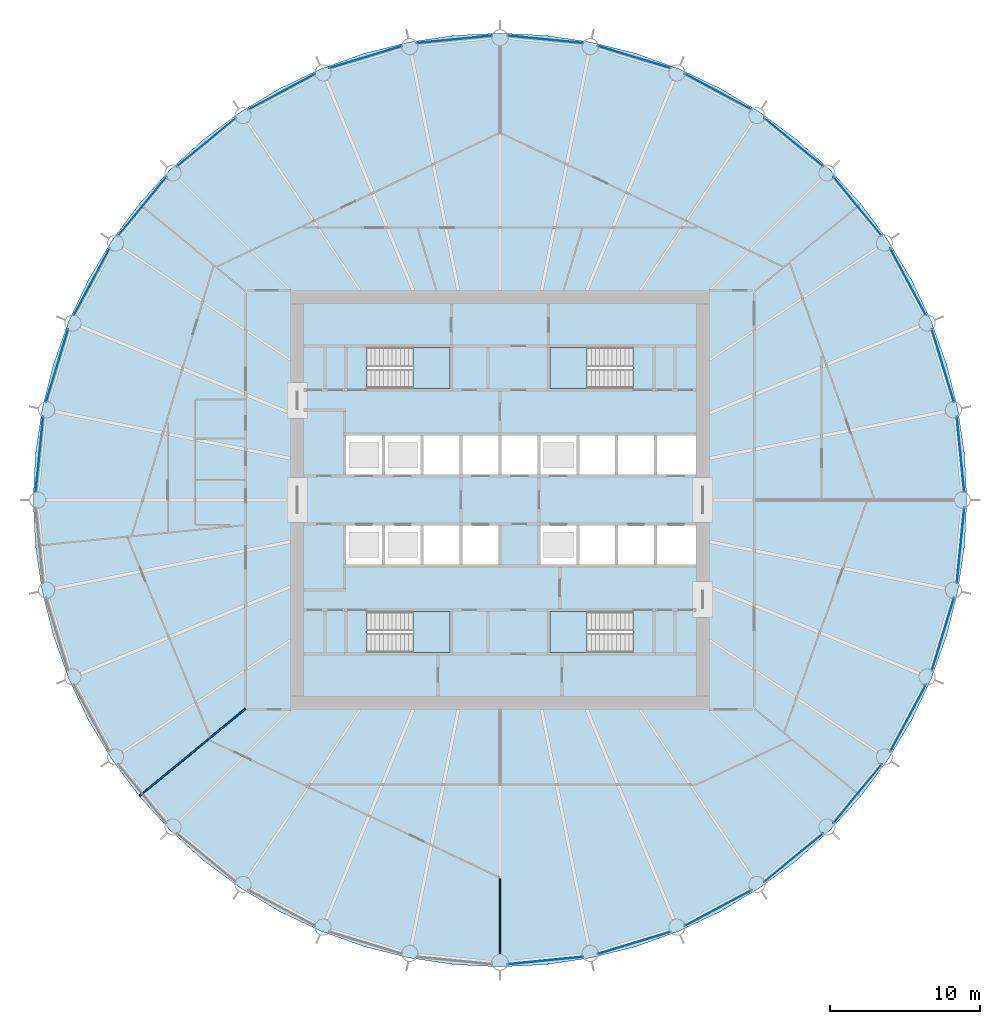
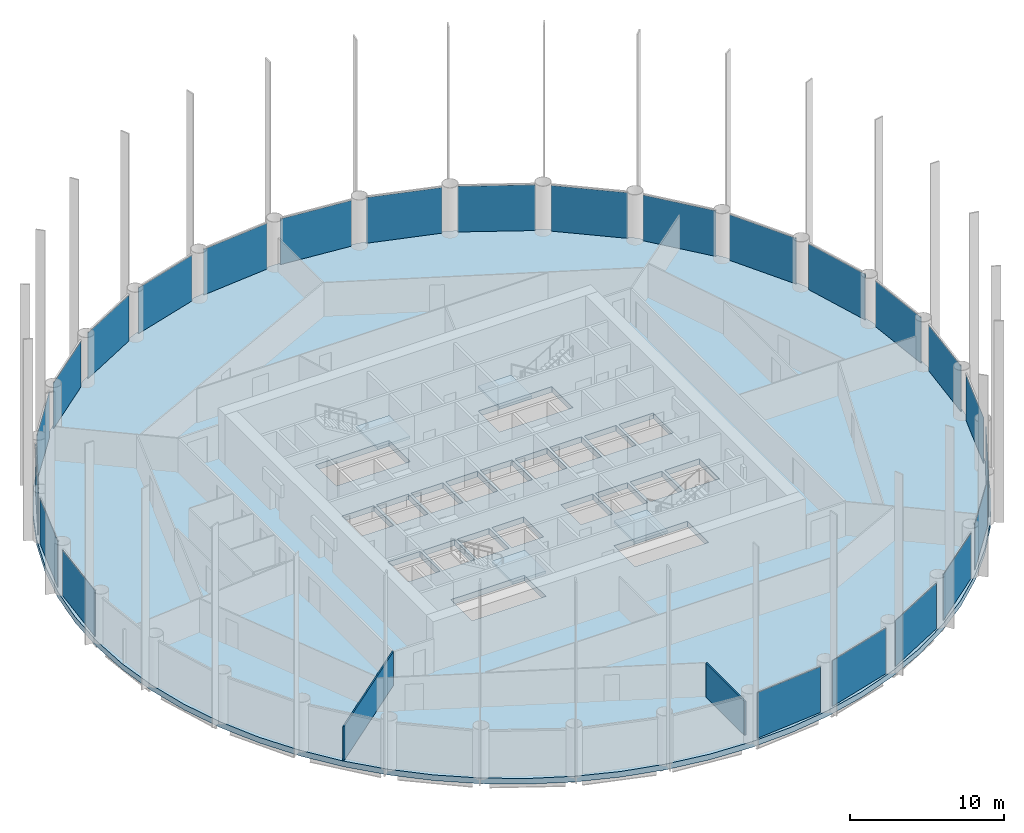
# One storey, part 3 of 10: 24 plates, 5 slabs, 2 walls, 28 elements without a shape of their own.
"""IFC4 building model written with IfcOpenShell, lengths in metres."""

from ifc_helpers import new_model, si_unit, direction, frame, frame_2d, origin, origin_2d, place, context, subcontext, project, spatial, polyline, rectangle, outline, extrude, material, layer, layer_set, type_object, element, aggregate, save


model = new_model("IFC4")

# Units and contexts
model_context = context("Model", 3, precision=1e-05, world=origin(), true_north=direction((0.0, 1.0)))
body_context = subcontext(model_context, "Body", "Model", "MODEL_VIEW")
ifc_project = project(units=[si_unit("LENGTHUNIT", "METRE"), si_unit("AREAUNIT", "SQUARE_METRE"), si_unit("VOLUMEUNIT", "CUBIC_METRE"), si_unit("PLANEANGLEUNIT", "RADIAN"), si_unit("MASSUNIT", "GRAM", prefix="KILO")], contexts=[model_context])

# Site, building, storey
site_placement = place(None, origin())
site = spatial("IfcSite", under=ifc_project, at=site_placement, CompositionType="ELEMENT")
building_placement = place(site_placement, origin())
building = spatial("IfcBuilding", under=site, at=building_placement, Name="Corvane Civic Tower", CompositionType="ELEMENT")
storey_placement = place(building_placement, frame((0.0, 0.0, 144.0)))
storey = spatial("IfcBuildingStorey", under=building, at=storey_placement, Name="L33", CompositionType="ELEMENT", Elevation=144.0)

# Stair, slab
ifc_material_1 = material(Name="Concrete C40/50", Category="concrete")
stair_type = type_object("IfcStairType", Name="ST-STAIR-HALFTURN", PredefinedType="HALF_TURN_STAIR", material=ifc_material_1)
stair_1_placement = place(storey_placement, origin())
stair_1 = element("IfcStair", 1, at=stair_1_placement, inside=storey, type_object=stair_type, Name="L33 Exit stair ST1", PredefinedType="HALF_TURN_STAIR")
ifc_material_2 = material(Name="Concrete C40/50", Category="concrete")
ifc_layer_1 = layer(ifc_material_2, 0.199951171875)
ifc_layer_set_1 = layer_set([ifc_layer_1], Name="Concrete C40/50")
slab_type_1 = type_object("IfcSlabType", Name="ST-LANDING-RC", PredefinedType="LANDING", material=ifc_layer_set_1)
slab_1_placement = place(storey_placement, frame((0.0, 0.0, 1.800048828125)))
slab_1 = element("IfcSlab", 2, at=slab_1_placement, type_object=slab_type_1, Name="ST1 landing 1", PredefinedType="LANDING", context=body_context, shape_type="SweptSolid", body=[
    extrude(outline(polyline([(5.820068359375, 10.199951171875), (3.35009765625, 10.199951171875), (3.35009765625, 7.449951171875), (5.820068359375, 7.449951171875), (5.820068359375, 10.199951171875)])), origin(), (0.0, 0.0, 1.0), 0.199951171875),
])
aggregate(stair_1, [slab_1])

stair_2_placement = place(storey_placement, origin())
stair_2 = element("IfcStair", 3, at=stair_2_placement, inside=storey, type_object=stair_type, Name="L33 Exit stair ST2", PredefinedType="HALF_TURN_STAIR")
slab_2_placement = place(storey_placement, frame((0.0, 0.0, 1.800048828125)))
slab_2 = element("IfcSlab", 4, at=slab_2_placement, type_object=slab_type_1, Name="ST2 landing 1", PredefinedType="LANDING", context=body_context, shape_type="SweptSolid", body=[
    extrude(outline(polyline([(5.820068359375, -7.449951171875), (3.35009765625, -7.449951171875), (3.35009765625, -10.199951171875), (5.820068359375, -10.199951171875), (5.820068359375, -7.449951171875)])), origin(), (0.0, 0.0, 1.0), 0.199951171875),
])
aggregate(stair_2, [slab_2])

stair_3_placement = place(storey_placement, origin())
stair_3 = element("IfcStair", 5, at=stair_3_placement, inside=storey, type_object=stair_type, Name="L33 Exit stair ST3", PredefinedType="HALF_TURN_STAIR")
slab_3_placement = place(storey_placement, frame((0.0, 0.0, 1.800048828125)))
slab_3 = element("IfcSlab", 6, at=slab_3_placement, type_object=slab_type_1, Name="ST3 landing 1", PredefinedType="LANDING", context=body_context, shape_type="SweptSolid", body=[
    extrude(outline(polyline([(-5.820068359375, -10.199951171875), (-3.35009765625, -10.199951171875), (-3.35009765625, -7.449951171875), (-5.820068359375, -7.449951171875), (-5.820068359375, -10.199951171875)])), origin(), (0.0, 0.0, 1.0), 0.199951171875),
])
aggregate(stair_3, [slab_3])

stair_4_placement = place(storey_placement, origin())
stair_4 = element("IfcStair", 7, at=stair_4_placement, inside=storey, type_object=stair_type, Name="L33 Exit stair ST4", PredefinedType="HALF_TURN_STAIR")
slab_4_placement = place(storey_placement, frame((0.0, 0.0, 1.800048828125)))
slab_4 = element("IfcSlab", 8, at=slab_4_placement, type_object=slab_type_1, Name="ST4 landing 1", PredefinedType="LANDING", context=body_context, shape_type="SweptSolid", body=[
    extrude(outline(polyline([(-5.820068359375, 7.449951171875), (-3.35009765625, 7.449951171875), (-3.35009765625, 10.199951171875), (-5.820068359375, 10.199951171875), (-5.820068359375, 7.449951171875)])), origin(), (0.0, 0.0, 1.0), 0.199951171875),
])
aggregate(stair_4, [slab_4])

# Curtain wall, plate
ifc_material_3 = material(Name="Anodised aluminium bronze", Category="aluminium")
curtain_wall_type = type_object("IfcCurtainWallType", Name="TOWER CW-T2 STICK CURTAIN WALL", PredefinedType="NOTDEFINED", material=ifc_material_3)
curtain_wall_1_placement = place(storey_placement, origin())
curtain_wall_1 = element("IfcCurtainWall", 9, at=curtain_wall_1_placement, inside=storey, type_object=curtain_wall_type, Name="Curtain wall CW-T2 L33 bay 01", PredefinedType="NOTDEFINED")
ifc_material_4 = material(Name="Tinted glass", Category="glass")
ifc_layer_2 = layer(ifc_material_4, 0.031982421875)
ifc_layer_set_2 = layer_set([ifc_layer_2], Name="Tinted glass")
plate_type = type_object("IfcPlateType", Name="TOWER CW-T2 PANEL IGU32", PredefinedType="CURTAIN_PANEL", material=ifc_layer_set_2)
plate_1_placement = place(storey_placement, frame((3.03173828125, 30.781494140625, 0.0), z_axis=(0.0, 0.0, 1.0), x_axis=(0.995185244531, -0.098011882274, 0.0)))
plate_1 = element("IfcPlate", 10, at=plate_1_placement, type_object=plate_type, Name="Glass panel CW-T2 L33 01.1", PredefinedType="CURTAIN_PANEL", context=body_context, shape_type="SweptSolid", body=[
    extrude(rectangle(XDim=5.07763671875, YDim=0.031982421875, at=origin_2d()), origin(), (0.0, 0.0, 1.0), 3.6298828125),
])
aggregate(curtain_wall_1, [plate_1])

curtain_wall_2_placement = place(storey_placement, origin())
curtain_wall_2 = element("IfcCurtainWall", 11, at=curtain_wall_2_placement, inside=storey, type_object=curtain_wall_type, Name="Curtain wall CW-T2 L33 bay 02", PredefinedType="NOTDEFINED")
plate_2_placement = place(storey_placement, frame((8.978515625, 29.5986328125, 0.0), z_axis=(0.0, 0.0, 1.0), x_axis=(0.956931677007, -0.290313219714, 0.0)))
plate_2 = element("IfcPlate", 12, at=plate_2_placement, type_object=plate_type, Name="Glass panel CW-T2 L33 02.1", PredefinedType="CURTAIN_PANEL", context=body_context, shape_type="SweptSolid", body=[
    extrude(rectangle(XDim=5.077392578125, YDim=0.031982421875, at=origin_2d()), origin(), (0.0, 0.0, 1.0), 3.6298828125),
])
aggregate(curtain_wall_2, [plate_2])

curtain_wall_3_placement = place(storey_placement, origin())
curtain_wall_3 = element("IfcCurtainWall", 13, at=curtain_wall_3_placement, inside=storey, type_object=curtain_wall_type, Name="Curtain wall CW-T2 L33 bay 03", PredefinedType="NOTDEFINED")
plate_3_placement = place(storey_placement, frame((14.58056640625, 27.278076171875, 0.0), z_axis=(0.0, 0.0, 1.0), x_axis=(0.881922190434, -0.471395004238, 0.0)))
plate_3 = element("IfcPlate", 14, at=plate_3_placement, type_object=plate_type, Name="Glass panel CW-T2 L33 03.1", PredefinedType="CURTAIN_PANEL", context=body_context, shape_type="SweptSolid", body=[
    extrude(rectangle(XDim=5.077392578125, YDim=0.031982421875, at=origin_2d()), origin(), (0.0, 0.0, 1.0), 3.6298828125),
])
aggregate(curtain_wall_3, [plate_3])

curtain_wall_4_placement = place(storey_placement, origin())
curtain_wall_4 = element("IfcCurtainWall", 15, at=curtain_wall_4_placement, inside=storey, type_object=curtain_wall_type, Name="Curtain wall CW-T2 L33 bay 04", PredefinedType="NOTDEFINED")
plate_4_placement = place(storey_placement, frame((19.6220703125, 23.909423828125, 0.0), z_axis=(0.0, 0.0, 1.0), x_axis=(0.773004844196, -0.634400118891, 0.0)))
plate_4 = element("IfcPlate", 16, at=plate_4_placement, type_object=plate_type, Name="Glass panel CW-T2 L33 04.1", PredefinedType="CURTAIN_PANEL", context=body_context, shape_type="SweptSolid", body=[
    extrude(rectangle(XDim=5.0771484375, YDim=0.031982421875, at=origin_2d()), origin(), (0.0, 0.0, 1.0), 3.6298828125),
])
aggregate(curtain_wall_4, [plate_4])

curtain_wall_5_placement = place(storey_placement, origin())
curtain_wall_5 = element("IfcCurtainWall", 17, at=curtain_wall_5_placement, inside=storey, type_object=curtain_wall_type, Name="Curtain wall CW-T2 L33 bay 05", PredefinedType="NOTDEFINED")
plate_5_placement = place(storey_placement, frame((23.909423828125, 19.6220703125, 0.0), z_axis=(0.0, 0.0, 1.0), x_axis=(0.634400118891, -0.773004844196, 0.0)))
plate_5 = element("IfcPlate", 18, at=plate_5_placement, type_object=plate_type, Name="Glass panel CW-T2 L33 05.1", PredefinedType="CURTAIN_PANEL", context=body_context, shape_type="SweptSolid", body=[
    extrude(rectangle(XDim=5.0771484375, YDim=0.031982421875, at=origin_2d()), origin(), (0.0, 0.0, 1.0), 3.6298828125),
])
aggregate(curtain_wall_5, [plate_5])

curtain_wall_6_placement = place(storey_placement, origin())
curtain_wall_6 = element("IfcCurtainWall", 19, at=curtain_wall_6_placement, inside=storey, type_object=curtain_wall_type, Name="Curtain wall CW-T2 L33 bay 06", PredefinedType="NOTDEFINED")
plate_6_placement = place(storey_placement, frame((27.278076171875, 14.58056640625, 0.0), z_axis=(0.0, 0.0, 1.0), x_axis=(0.471395004238, -0.881922190434, 0.0)))
plate_6 = element("IfcPlate", 20, at=plate_6_placement, type_object=plate_type, Name="Glass panel CW-T2 L33 06.1", PredefinedType="CURTAIN_PANEL", context=body_context, shape_type="SweptSolid", body=[
    extrude(rectangle(XDim=5.077392578125, YDim=0.031982421875, at=origin_2d()), origin(), (0.0, 0.0, 1.0), 3.6298828125),
])
aggregate(curtain_wall_6, [plate_6])

curtain_wall_7_placement = place(storey_placement, origin())
curtain_wall_7 = element("IfcCurtainWall", 21, at=curtain_wall_7_placement, inside=storey, type_object=curtain_wall_type, Name="Curtain wall CW-T2 L33 bay 07", PredefinedType="NOTDEFINED")
plate_7_placement = place(storey_placement, frame((29.5986328125, 8.978515625, 0.0), z_axis=(0.0, 0.0, 1.0), x_axis=(0.290313219714, -0.956931677007, 0.0)))
plate_7 = element("IfcPlate", 22, at=plate_7_placement, type_object=plate_type, Name="Glass panel CW-T2 L33 07.1", PredefinedType="CURTAIN_PANEL", context=body_context, shape_type="SweptSolid", body=[
    extrude(rectangle(XDim=5.077392578125, YDim=0.031982421875, at=origin_2d()), origin(), (0.0, 0.0, 1.0), 3.6298828125),
])
aggregate(curtain_wall_7, [plate_7])

curtain_wall_8_placement = place(storey_placement, origin())
curtain_wall_8 = element("IfcCurtainWall", 23, at=curtain_wall_8_placement, inside=storey, type_object=curtain_wall_type, Name="Curtain wall CW-T2 L33 bay 08", PredefinedType="NOTDEFINED")
plate_8_placement = place(storey_placement, frame((30.781494140625, 3.03173828125, 0.0), z_axis=(0.0, 0.0, 1.0), x_axis=(0.098011882274, -0.995185244531, 0.0)))
plate_8 = element("IfcPlate", 24, at=plate_8_placement, type_object=plate_type, Name="Glass panel CW-T2 L33 08.1", PredefinedType="CURTAIN_PANEL", context=body_context, shape_type="SweptSolid", body=[
    extrude(rectangle(XDim=5.07763671875, YDim=0.031982421875, at=origin_2d()), origin(), (0.0, 0.0, 1.0), 3.6298828125),
])
aggregate(curtain_wall_8, [plate_8])

curtain_wall_9_placement = place(storey_placement, origin())
curtain_wall_9 = element("IfcCurtainWall", 25, at=curtain_wall_9_placement, inside=storey, type_object=curtain_wall_type, Name="Curtain wall CW-T2 L33 bay 09", PredefinedType="NOTDEFINED")
plate_9_placement = place(storey_placement, frame((30.781494140625, -3.03173828125, 0.0), z_axis=(0.0, 0.0, 1.0), x_axis=(-0.098011882274, -0.995185244531, 0.0)))
plate_9 = element("IfcPlate", 26, at=plate_9_placement, type_object=plate_type, Name="Glass panel CW-T2 L33 09.1", PredefinedType="CURTAIN_PANEL", context=body_context, shape_type="SweptSolid", body=[
    extrude(rectangle(XDim=5.07763671875, YDim=0.031982421875, at=origin_2d()), origin(), (0.0, 0.0, 1.0), 3.6298828125),
])
aggregate(curtain_wall_9, [plate_9])

curtain_wall_10_placement = place(storey_placement, origin())
curtain_wall_10 = element("IfcCurtainWall", 27, at=curtain_wall_10_placement, inside=storey, type_object=curtain_wall_type, Name="Curtain wall CW-T2 L33 bay 10", PredefinedType="NOTDEFINED")
plate_10_placement = place(storey_placement, frame((29.5986328125, -8.978515625, 0.0), z_axis=(0.0, 0.0, 1.0), x_axis=(-0.290313219714, -0.956931677007, 0.0)))
plate_10 = element("IfcPlate", 28, at=plate_10_placement, type_object=plate_type, Name="Glass panel CW-T2 L33 10.1", PredefinedType="CURTAIN_PANEL", context=body_context, shape_type="SweptSolid", body=[
    extrude(rectangle(XDim=5.077392578125, YDim=0.031982421875, at=origin_2d()), origin(), (0.0, 0.0, 1.0), 3.6298828125),
])
aggregate(curtain_wall_10, [plate_10])

curtain_wall_11_placement = place(storey_placement, origin())
curtain_wall_11 = element("IfcCurtainWall", 29, at=curtain_wall_11_placement, inside=storey, type_object=curtain_wall_type, Name="Curtain wall CW-T2 L33 bay 11", PredefinedType="NOTDEFINED")
plate_11_placement = place(storey_placement, frame((27.278076171875, -14.58056640625, 0.0), z_axis=(0.0, 0.0, 1.0), x_axis=(-0.471395004238, -0.881922190434, 0.0)))
plate_11 = element("IfcPlate", 30, at=plate_11_placement, type_object=plate_type, Name="Glass panel CW-T2 L33 11.1", PredefinedType="CURTAIN_PANEL", context=body_context, shape_type="SweptSolid", body=[
    extrude(rectangle(XDim=5.077392578125, YDim=0.031982421875, at=origin_2d()), origin(), (0.0, 0.0, 1.0), 3.6298828125),
])
aggregate(curtain_wall_11, [plate_11])

curtain_wall_12_placement = place(storey_placement, origin())
curtain_wall_12 = element("IfcCurtainWall", 31, at=curtain_wall_12_placement, inside=storey, type_object=curtain_wall_type, Name="Curtain wall CW-T2 L33 bay 12", PredefinedType="NOTDEFINED")
plate_12_placement = place(storey_placement, frame((23.909423828125, -19.6220703125, 0.0), z_axis=(0.0, 0.0, 1.0), x_axis=(-0.634400118891, -0.773004844196, 0.0)))
plate_12 = element("IfcPlate", 32, at=plate_12_placement, type_object=plate_type, Name="Glass panel CW-T2 L33 12.1", PredefinedType="CURTAIN_PANEL", context=body_context, shape_type="SweptSolid", body=[
    extrude(rectangle(XDim=5.0771484375, YDim=0.031982421875, at=origin_2d()), origin(), (0.0, 0.0, 1.0), 3.6298828125),
])
aggregate(curtain_wall_12, [plate_12])

curtain_wall_13_placement = place(storey_placement, origin())
curtain_wall_13 = element("IfcCurtainWall", 33, at=curtain_wall_13_placement, inside=storey, type_object=curtain_wall_type, Name="Curtain wall CW-T2 L33 bay 13", PredefinedType="NOTDEFINED")
plate_13_placement = place(storey_placement, frame((19.6220703125, -23.909423828125, 0.0), z_axis=(0.0, 0.0, 1.0), x_axis=(-0.773004844196, -0.634400118891, 0.0)))
plate_13 = element("IfcPlate", 34, at=plate_13_placement, type_object=plate_type, Name="Glass panel CW-T2 L33 13.1", PredefinedType="CURTAIN_PANEL", context=body_context, shape_type="SweptSolid", body=[
    extrude(rectangle(XDim=5.0771484375, YDim=0.031982421875, at=origin_2d()), origin(), (0.0, 0.0, 1.0), 3.6298828125),
])
aggregate(curtain_wall_13, [plate_13])

curtain_wall_14_placement = place(storey_placement, origin())
curtain_wall_14 = element("IfcCurtainWall", 35, at=curtain_wall_14_placement, inside=storey, type_object=curtain_wall_type, Name="Curtain wall CW-T2 L33 bay 14", PredefinedType="NOTDEFINED")
plate_14_placement = place(storey_placement, frame((14.58056640625, -27.278076171875, 0.0), z_axis=(0.0, 0.0, 1.0), x_axis=(-0.881922190434, -0.471395004238, 0.0)))
plate_14 = element("IfcPlate", 36, at=plate_14_placement, type_object=plate_type, Name="Glass panel CW-T2 L33 14.1", PredefinedType="CURTAIN_PANEL", context=body_context, shape_type="SweptSolid", body=[
    extrude(rectangle(XDim=5.077392578125, YDim=0.031982421875, at=origin_2d()), origin(), (0.0, 0.0, 1.0), 3.6298828125),
])
aggregate(curtain_wall_14, [plate_14])

curtain_wall_15_placement = place(storey_placement, origin())
curtain_wall_15 = element("IfcCurtainWall", 37, at=curtain_wall_15_placement, inside=storey, type_object=curtain_wall_type, Name="Curtain wall CW-T2 L33 bay 15", PredefinedType="NOTDEFINED")
plate_15_placement = place(storey_placement, frame((8.978515625, -29.5986328125, 0.0), z_axis=(0.0, 0.0, 1.0), x_axis=(-0.956931677007, -0.290313219714, 0.0)))
plate_15 = element("IfcPlate", 38, at=plate_15_placement, type_object=plate_type, Name="Glass panel CW-T2 L33 15.1", PredefinedType="CURTAIN_PANEL", context=body_context, shape_type="SweptSolid", body=[
    extrude(rectangle(XDim=5.077392578125, YDim=0.031982421875, at=origin_2d()), origin(), (0.0, 0.0, 1.0), 3.6298828125),
])
aggregate(curtain_wall_15, [plate_15])

curtain_wall_16_placement = place(storey_placement, origin())
curtain_wall_16 = element("IfcCurtainWall", 39, at=curtain_wall_16_placement, inside=storey, type_object=curtain_wall_type, Name="Curtain wall CW-T2 L33 bay 16", PredefinedType="NOTDEFINED")
plate_16_placement = place(storey_placement, frame((3.03173828125, -30.781494140625, 0.0), z_axis=(0.0, 0.0, 1.0), x_axis=(-0.995185244531, -0.098011882274, 0.0)))
plate_16 = element("IfcPlate", 40, at=plate_16_placement, type_object=plate_type, Name="Glass panel CW-T2 L33 16.1", PredefinedType="CURTAIN_PANEL", context=body_context, shape_type="SweptSolid", body=[
    extrude(rectangle(XDim=5.07763671875, YDim=0.031982421875, at=origin_2d()), origin(), (0.0, 0.0, 1.0), 3.6298828125),
])
aggregate(curtain_wall_16, [plate_16])

curtain_wall_17_placement = place(storey_placement, origin())
curtain_wall_17 = element("IfcCurtainWall", 41, at=curtain_wall_17_placement, inside=storey, type_object=curtain_wall_type, Name="Curtain wall CW-T2 L33 bay 25", PredefinedType="NOTDEFINED")
plate_17_placement = place(storey_placement, frame((-30.781494140625, 3.03173828125, 0.0), z_axis=(0.0, 0.0, 1.0), x_axis=(0.098011882274, 0.995185244531, 0.0)))
plate_17 = element("IfcPlate", 42, at=plate_17_placement, type_object=plate_type, Name="Glass panel CW-T2 L33 25.1", PredefinedType="CURTAIN_PANEL", context=body_context, shape_type="SweptSolid", body=[
    extrude(rectangle(XDim=5.07763671875, YDim=0.031982421875, at=origin_2d()), origin(), (0.0, 0.0, 1.0), 3.6298828125),
])
aggregate(curtain_wall_17, [plate_17])

curtain_wall_18_placement = place(storey_placement, origin())
curtain_wall_18 = element("IfcCurtainWall", 43, at=curtain_wall_18_placement, inside=storey, type_object=curtain_wall_type, Name="Curtain wall CW-T2 L33 bay 26", PredefinedType="NOTDEFINED")
plate_18_placement = place(storey_placement, frame((-29.5986328125, 8.978515625, 0.0), z_axis=(0.0, 0.0, 1.0), x_axis=(0.290313219714, 0.956931677007, 0.0)))
plate_18 = element("IfcPlate", 44, at=plate_18_placement, type_object=plate_type, Name="Glass panel CW-T2 L33 26.1", PredefinedType="CURTAIN_PANEL", context=body_context, shape_type="SweptSolid", body=[
    extrude(rectangle(XDim=5.077392578125, YDim=0.031982421875, at=origin_2d()), origin(), (0.0, 0.0, 1.0), 3.6298828125),
])
aggregate(curtain_wall_18, [plate_18])

curtain_wall_19_placement = place(storey_placement, origin())
curtain_wall_19 = element("IfcCurtainWall", 45, at=curtain_wall_19_placement, inside=storey, type_object=curtain_wall_type, Name="Curtain wall CW-T2 L33 bay 27", PredefinedType="NOTDEFINED")
plate_19_placement = place(storey_placement, frame((-27.278076171875, 14.58056640625, 0.0), z_axis=(0.0, 0.0, 1.0), x_axis=(0.471395004238, 0.881922190434, 0.0)))
plate_19 = element("IfcPlate", 46, at=plate_19_placement, type_object=plate_type, Name="Glass panel CW-T2 L33 27.1", PredefinedType="CURTAIN_PANEL", context=body_context, shape_type="SweptSolid", body=[
    extrude(rectangle(XDim=5.077392578125, YDim=0.031982421875, at=origin_2d()), origin(), (0.0, 0.0, 1.0), 3.6298828125),
])
aggregate(curtain_wall_19, [plate_19])

curtain_wall_20_placement = place(storey_placement, origin())
curtain_wall_20 = element("IfcCurtainWall", 47, at=curtain_wall_20_placement, inside=storey, type_object=curtain_wall_type, Name="Curtain wall CW-T2 L33 bay 28", PredefinedType="NOTDEFINED")
plate_20_placement = place(storey_placement, frame((-23.909423828125, 19.6220703125, 0.0), z_axis=(0.0, 0.0, 1.0), x_axis=(0.634400118891, 0.773004844196, 0.0)))
plate_20 = element("IfcPlate", 48, at=plate_20_placement, type_object=plate_type, Name="Glass panel CW-T2 L33 28.1", PredefinedType="CURTAIN_PANEL", context=body_context, shape_type="SweptSolid", body=[
    extrude(rectangle(XDim=5.0771484375, YDim=0.031982421875, at=origin_2d()), origin(), (0.0, 0.0, 1.0), 3.6298828125),
])
aggregate(curtain_wall_20, [plate_20])

curtain_wall_21_placement = place(storey_placement, origin())
curtain_wall_21 = element("IfcCurtainWall", 49, at=curtain_wall_21_placement, inside=storey, type_object=curtain_wall_type, Name="Curtain wall CW-T2 L33 bay 29", PredefinedType="NOTDEFINED")
plate_21_placement = place(storey_placement, frame((-19.6220703125, 23.909423828125, 0.0), z_axis=(0.0, 0.0, 1.0), x_axis=(0.773004844196, 0.634400118891, 0.0)))
plate_21 = element("IfcPlate", 50, at=plate_21_placement, type_object=plate_type, Name="Glass panel CW-T2 L33 29.1", PredefinedType="CURTAIN_PANEL", context=body_context, shape_type="SweptSolid", body=[
    extrude(rectangle(XDim=5.0771484375, YDim=0.031982421875, at=origin_2d()), origin(), (0.0, 0.0, 1.0), 3.6298828125),
])
aggregate(curtain_wall_21, [plate_21])

curtain_wall_22_placement = place(storey_placement, origin())
curtain_wall_22 = element("IfcCurtainWall", 51, at=curtain_wall_22_placement, inside=storey, type_object=curtain_wall_type, Name="Curtain wall CW-T2 L33 bay 30", PredefinedType="NOTDEFINED")
plate_22_placement = place(storey_placement, frame((-14.58056640625, 27.278076171875, 0.0), z_axis=(0.0, 0.0, 1.0), x_axis=(0.881922190434, 0.471395004238, 0.0)))
plate_22 = element("IfcPlate", 52, at=plate_22_placement, type_object=plate_type, Name="Glass panel CW-T2 L33 30.1", PredefinedType="CURTAIN_PANEL", context=body_context, shape_type="SweptSolid", body=[
    extrude(rectangle(XDim=5.077392578125, YDim=0.031982421875, at=origin_2d()), origin(), (0.0, 0.0, 1.0), 3.6298828125),
])
aggregate(curtain_wall_22, [plate_22])

curtain_wall_23_placement = place(storey_placement, origin())
curtain_wall_23 = element("IfcCurtainWall", 53, at=curtain_wall_23_placement, inside=storey, type_object=curtain_wall_type, Name="Curtain wall CW-T2 L33 bay 31", PredefinedType="NOTDEFINED")
plate_23_placement = place(storey_placement, frame((-8.978515625, 29.5986328125, 0.0), z_axis=(0.0, 0.0, 1.0), x_axis=(0.956931677007, 0.290313219714, 0.0)))
plate_23 = element("IfcPlate", 54, at=plate_23_placement, type_object=plate_type, Name="Glass panel CW-T2 L33 31.1", PredefinedType="CURTAIN_PANEL", context=body_context, shape_type="SweptSolid", body=[
    extrude(rectangle(XDim=5.077392578125, YDim=0.031982421875, at=origin_2d()), origin(), (0.0, 0.0, 1.0), 3.6298828125),
])
aggregate(curtain_wall_23, [plate_23])

curtain_wall_24_placement = place(storey_placement, origin())
curtain_wall_24 = element("IfcCurtainWall", 55, at=curtain_wall_24_placement, inside=storey, type_object=curtain_wall_type, Name="Curtain wall CW-T2 L33 bay 32", PredefinedType="NOTDEFINED")
plate_24_placement = place(storey_placement, frame((-3.03173828125, 30.781494140625, 0.0), z_axis=(0.0, 0.0, 1.0), x_axis=(0.995185244531, 0.098011882274, 0.0)))
plate_24 = element("IfcPlate", 56, at=plate_24_placement, type_object=plate_type, Name="Glass panel CW-T2 L33 32.1", PredefinedType="CURTAIN_PANEL", context=body_context, shape_type="SweptSolid", body=[
    extrude(rectangle(XDim=5.07763671875, YDim=0.031982421875, at=origin_2d()), origin(), (0.0, 0.0, 1.0), 3.6298828125),
])
aggregate(curtain_wall_24, [plate_24])

# Slab
ifc_material_5 = material(Name="Concrete C50/60", Category="concrete")
ifc_layer_3 = layer(ifc_material_5, 0.449951171875)
ifc_layer_set_3 = layer_set([ifc_layer_3], Name="Concrete C50/60")
slab_type_2 = type_object("IfcSlabType", Name="TRANSFER FLOOR SLAB 450", PredefinedType="FLOOR", material=ifc_layer_set_3)
slab_5_placement = place(storey_placement, frame((0.0, 0.0, -0.449951171875)))
element("IfcSlab", 57, at=slab_5_placement, inside=storey, type_object=slab_type_2, Name="SLB-L33", PredefinedType="FLOOR", context=body_context, shape_type="SweptSolid", body=[
    extrude(outline(polyline([(0.0, 31.199951171875), (-3.05810546875, 31.0498046875), (-6.0869140625, 30.6005859375), (-9.056884765625, 29.8564453125), (-11.939697265625, 28.824951171875), (-14.70751953125, 27.515869140625), (-17.333740234375, 25.94189453125), (-19.79296875, 24.117919921875), (-22.061767578125, 22.061767578125), (-24.117919921875, 19.79296875), (-25.94189453125, 17.333740234375), (-27.515869140625, 14.70751953125), (-28.824951171875, 11.939697265625), (-29.8564453125, 9.056884765625), (-30.6005859375, 6.0869140625), (-31.0498046875, 3.05810546875), (-31.199951171875, 0.0), (-31.0498046875, -3.05810546875), (-30.6005859375, -6.0869140625), (-29.8564453125, -9.056884765625), (-28.824951171875, -11.939697265625), (-27.515869140625, -14.70751953125), (-25.94189453125, -17.333740234375), (-24.117919921875, -19.79296875), (-22.061767578125, -22.061767578125), (-19.79296875, -24.117919921875), (-17.333740234375, -25.94189453125), (-14.70751953125, -27.515869140625), (-11.939697265625, -28.824951171875), (-9.056884765625, -29.8564453125), (-6.0869140625, -30.6005859375), (-3.05810546875, -31.0498046875), (0.0, -31.199951171875), (3.05810546875, -31.0498046875), (6.0869140625, -30.6005859375), (9.056884765625, -29.8564453125), (11.939697265625, -28.824951171875), (14.70751953125, -27.515869140625), (17.333740234375, -25.94189453125), (19.79296875, -24.117919921875), (22.061767578125, -22.061767578125), (24.117919921875, -19.79296875), (25.94189453125, -17.333740234375), (27.515869140625, -14.70751953125), (28.824951171875, -11.939697265625), (29.8564453125, -9.056884765625), (30.6005859375, -6.0869140625), (31.0498046875, -3.05810546875), (31.199951171875, 0.0), (31.0498046875, 3.05810546875), (30.6005859375, 6.0869140625), (29.8564453125, 9.056884765625), (28.824951171875, 11.939697265625), (27.515869140625, 14.70751953125), (25.94189453125, 17.333740234375), (24.117919921875, 19.79296875), (22.061767578125, 22.061767578125), (19.79296875, 24.117919921875), (17.333740234375, 25.94189453125), (14.70751953125, 27.515869140625), (11.939697265625, 28.824951171875), (9.056884765625, 29.8564453125), (6.0869140625, 30.6005859375), (3.05810546875, 31.0498046875), (0.0, 31.199951171875)]), holes=[polyline([(-7.89990234375, 1.699951171875), (-10.300048828125, 1.699951171875), (-10.300048828125, 4.300048828125), (-7.89990234375, 4.300048828125), (-7.89990234375, 1.699951171875)]), polyline([(-7.699951171875, 4.300048828125), (-5.300048828125, 4.300048828125), (-5.300048828125, 1.699951171875), (-7.699951171875, 1.699951171875), (-7.699951171875, 4.300048828125)]), polyline([(-5.10009765625, 4.300048828125), (-2.699951171875, 4.300048828125), (-2.699951171875, 1.699951171875), (-5.10009765625, 1.699951171875), (-5.10009765625, 4.300048828125)]), polyline([(-0.10009765625, 4.300048828125), (-0.10009765625, 1.699951171875), (-2.5, 1.699951171875), (-2.5, 4.300048828125), (-0.10009765625, 4.300048828125)]), polyline([(0.10009765625, 4.300048828125), (2.5, 4.300048828125), (2.5, 1.699951171875), (0.10009765625, 1.699951171875), (0.10009765625, 4.300048828125)]), polyline([(2.699951171875, 4.300048828125), (5.10009765625, 4.300048828125), (5.10009765625, 1.699951171875), (2.699951171875, 1.699951171875), (2.699951171875, 4.300048828125)]), polyline([(5.300048828125, 4.300048828125), (7.699951171875, 4.300048828125), (7.699951171875, 1.699951171875), (5.300048828125, 1.699951171875), (5.300048828125, 4.300048828125)]), polyline([(7.89990234375, 4.300048828125), (10.300048828125, 4.300048828125), (10.300048828125, 1.699951171875), (7.89990234375, 1.699951171875), (7.89990234375, 4.300048828125)]), polyline([(13.10009765625, 1.699951171875), (10.5, 1.699951171875), (10.5, 4.300048828125), (13.10009765625, 4.300048828125), (13.10009765625, 1.699951171875)]), polyline([(-7.89990234375, -1.699951171875), (-7.89990234375, -4.300048828125), (-10.300048828125, -4.300048828125), (-10.300048828125, -1.699951171875), (-7.89990234375, -1.699951171875)]), polyline([(-7.699951171875, -4.300048828125), (-7.699951171875, -1.699951171875), (-5.300048828125, -1.699951171875), (-5.300048828125, -4.300048828125), (-7.699951171875, -4.300048828125)]), polyline([(-5.10009765625, -4.300048828125), (-5.10009765625, -1.699951171875), (-2.699951171875, -1.699951171875), (-2.699951171875, -4.300048828125), (-5.10009765625, -4.300048828125)]), polyline([(-0.10009765625, -1.699951171875), (-0.10009765625, -4.300048828125), (-2.5, -4.300048828125), (-2.5, -1.699951171875), (-0.10009765625, -1.699951171875)]), polyline([(5.10009765625, -1.699951171875), (5.10009765625, -4.300048828125), (2.699951171875, -4.300048828125), (2.699951171875, -1.699951171875), (5.10009765625, -1.699951171875)]), polyline([(7.699951171875, -1.699951171875), (7.699951171875, -4.300048828125), (5.300048828125, -4.300048828125), (5.300048828125, -1.699951171875), (7.699951171875, -1.699951171875)]), polyline([(10.300048828125, -1.699951171875), (10.300048828125, -4.300048828125), (7.89990234375, -4.300048828125), (7.89990234375, -1.699951171875), (10.300048828125, -1.699951171875)]), polyline([(13.10009765625, -4.300048828125), (10.5, -4.300048828125), (10.5, -1.699951171875), (13.10009765625, -1.699951171875), (13.10009765625, -4.300048828125)]), polyline([(8.889892578125, 10.199951171875), (8.889892578125, 7.449951171875), (3.35009765625, 7.449951171875), (3.35009765625, 10.199951171875), (8.889892578125, 10.199951171875)]), polyline([(-8.889892578125, 7.449951171875), (-8.889892578125, 10.199951171875), (-3.35009765625, 10.199951171875), (-3.35009765625, 7.449951171875), (-8.889892578125, 7.449951171875)]), polyline([(8.889892578125, -7.449951171875), (8.889892578125, -10.199951171875), (3.35009765625, -10.199951171875), (3.35009765625, -7.449951171875), (8.889892578125, -7.449951171875)]), polyline([(-8.889892578125, -10.199951171875), (-8.889892578125, -7.449951171875), (-3.35009765625, -7.449951171875), (-3.35009765625, -10.199951171875), (-8.889892578125, -10.199951171875)])]), origin(), (0.0, 0.0, 1.0), 0.449951171875),
])

# Walls
ifc_material_6 = material(Name="Plasterboard")
ifc_layer_4 = layer(ifc_material_6, 0.10009765625)
ifc_layer_set_4 = layer_set([ifc_layer_4], Name="Plasterboard")
wall_type = type_object("IfcWallType", Name="Partition 100 plasterboard on studs", PredefinedType="PARTITIONING", material=ifc_layer_set_4)
wall_1_placement = place(storey_placement, frame((0.0, -30.33984375, 0.0), z_axis=(0.0, 0.0, 1.0), x_axis=(0.0, 1.0, 0.0)))
element("IfcWall", 58, at=wall_1_placement, inside=storey, type_object=wall_type, Name="Partition L33.001", PredefinedType="PARTITIONING", context=body_context, shape_type="SweptSolid", body=[
    extrude(rectangle(XDim=5.037353515625, YDim=0.10009765625, at=frame_2d((2.5185546875, 0.0))), origin(), (0.0, 0.0, 1.0), 2.699951171875),
])
wall_2_placement = place(storey_placement, frame((-24.079345703125, -19.761474609375, 0.0), z_axis=(0.0, 0.0, 1.0), x_axis=(0.773006154143, 0.634398522742, 0.0)))
element("IfcWall", 59, at=wall_2_placement, inside=storey, type_object=wall_type, Name="Partition L33.003", PredefinedType="PARTITIONING", context=body_context, shape_type="SweptSolid", body=[
    extrude(rectangle(XDim=9.134521484375, YDim=0.10009765625, at=frame_2d((4.5673828125, 0.0))), origin(), (0.0, 0.0, 1.0), 2.699951171875),
])

save(model, "model.ifc")
